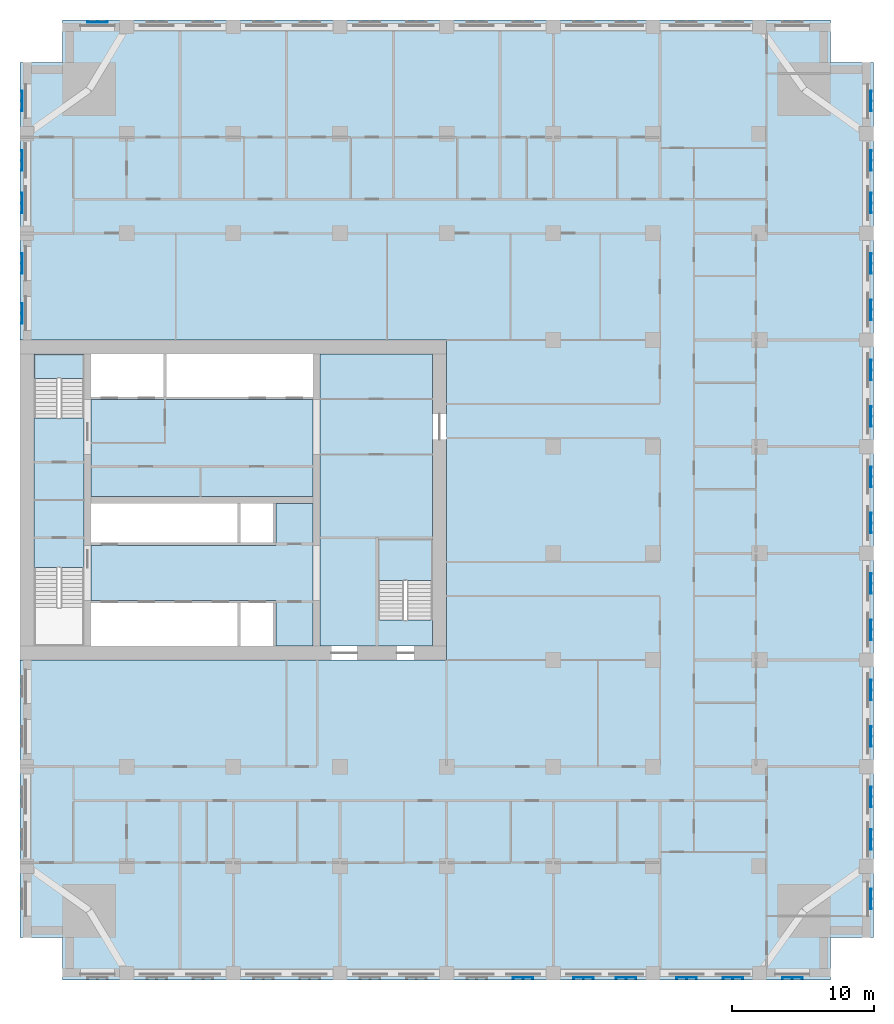
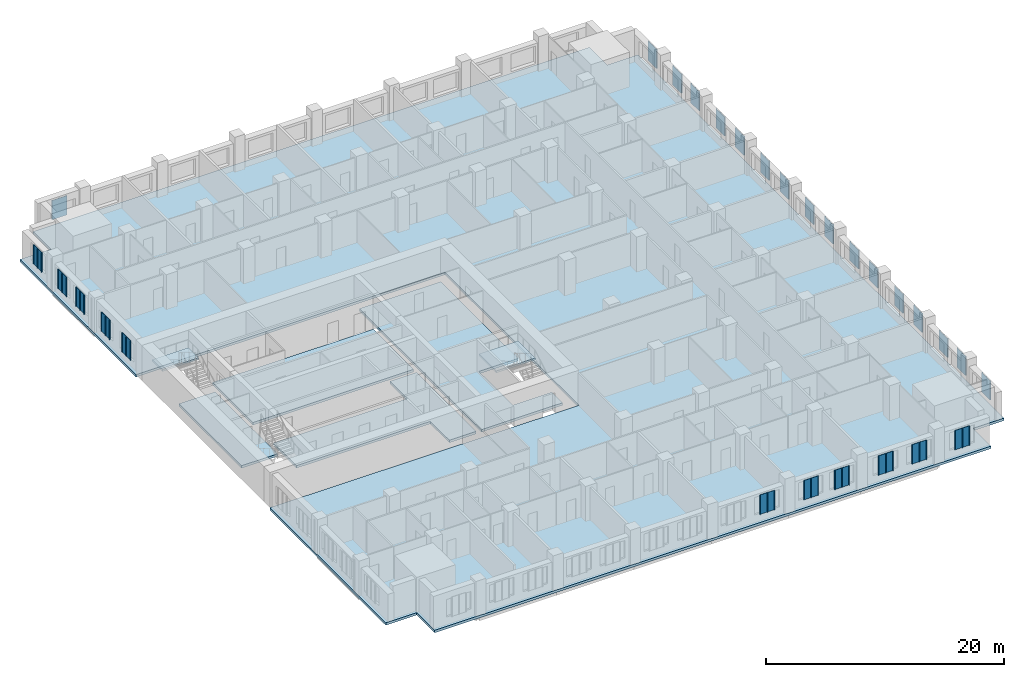
# One storey, part 2 of 14: 28 plates, 7 slabs, 2 elements without a shape of their own.
"""IFC4 building model written with IfcOpenShell, lengths in metres."""

from ifc_helpers import new_model, si_unit, direction, frame, origin, place, context, subcontext, project, spatial, polyline, outline, extrude, material, layer, layer_set, type_object, element, aggregate, save


model = new_model("IFC4")

# Units and contexts
model_context = context("Model", 3, precision=1e-05, world=origin(), true_north=direction((0.0, 1.0)))
body_context = subcontext(model_context, "Body", "Model", "MODEL_VIEW")
ifc_project = project(units=[si_unit("LENGTHUNIT", "METRE"), si_unit("AREAUNIT", "SQUARE_METRE"), si_unit("VOLUMEUNIT", "CUBIC_METRE"), si_unit("PLANEANGLEUNIT", "RADIAN"), si_unit("MASSUNIT", "GRAM", prefix="KILO")], contexts=[model_context])

# Site, building, storey
site_placement = place(None, origin())
site = spatial("IfcSite", under=ifc_project, at=site_placement, CompositionType="ELEMENT")
building_placement = place(site_placement, origin())
building = spatial("IfcBuilding", under=site, at=building_placement, Name="Tamorin Gate", CompositionType="ELEMENT")
storey_placement = place(building_placement, frame((0.0, 0.0, 100.699951171875)))
storey = spatial("IfcBuildingStorey", under=building, at=storey_placement, Name="L24", CompositionType="ELEMENT", Elevation=100.699951171875)

# Slabs
ifc_material_1 = material(Name="Concrete C40/50", Category="concrete")
ifc_layer_1 = layer(ifc_material_1, 0.25)
ifc_layer_set_1 = layer_set([ifc_layer_1], Name="Core floor slab 250 C40/50")
slab_type_1 = type_object("IfcSlabType", Name="Core floor slab 250 C40/50", PredefinedType="FLOOR", material=ifc_layer_set_1)
slab_1_placement = place(storey_placement, frame((0.0, 0.0, -0.25)))
element("IfcSlab", 1, at=slab_1_placement, inside=storey, type_object=slab_type_1, Name="Core floor L24", PredefinedType="FLOOR", context=body_context, shape_type="SweptSolid", body=[
    extrude(outline(polyline([(59.0, 62.800048828125), (59.0, 61.0), (51.10009765625, 61.0), (51.10009765625, 81.5), (59.0, 81.5), (59.0, 68.5), (55.199951171875, 68.5), (55.199951171875, 62.800048828125), (59.0, 62.800048828125)])), origin(), (0.0, 0.0, 1.0), 0.25),
])
slab_2_placement = place(storey_placement, frame((0.0, 0.0, -0.25)))
element("IfcSlab", 2, at=slab_2_placement, inside=storey, type_object=slab_type_1, Name="Core floor L24", PredefinedType="FLOOR", context=body_context, shape_type="SweptSolid", body=[
    extrude(outline(polyline([(50.60009765625, 61.0), (48.0, 61.0), (48.0, 64.199951171875), (35.0, 64.199951171875), (35.0, 68.050048828125), (48.0, 68.050048828125), (48.0, 71.0), (50.60009765625, 71.0), (50.60009765625, 61.0)])), origin(), (0.0, 0.0, 1.0), 0.25),
])
slab_3_placement = place(storey_placement, frame((0.0, 0.0, -0.25)))
element("IfcSlab", 3, at=slab_3_placement, inside=storey, type_object=slab_type_1, Name="Core floor L24", PredefinedType="FLOOR", context=body_context, shape_type="SweptSolid", body=[
    extrude(outline(polyline([(50.60009765625, 71.5), (35.0, 71.5), (35.0, 78.300048828125), (50.60009765625, 78.300048828125), (50.60009765625, 71.5)])), origin(), (0.0, 0.0, 1.0), 0.25),
])
slab_4_placement = place(storey_placement, frame((0.0, 0.0, -0.25)))
element("IfcSlab", 4, at=slab_4_placement, inside=storey, type_object=slab_type_1, Name="Core floor L24", PredefinedType="FLOOR", context=body_context, shape_type="SweptSolid", body=[
    extrude(outline(polyline([(31.0, 66.5), (31.0, 77.0), (34.5, 77.0), (34.5, 66.5), (31.0, 66.5)])), origin(), (0.0, 0.0, 1.0), 0.25),
])

# Stair, slab
stair_type = type_object("IfcStairType", Name="Exit stair", PredefinedType="HALF_TURN_STAIR", material=ifc_material_1)
stair_1_placement = place(storey_placement, origin())
stair_1 = element("IfcStair", 5, at=stair_1_placement, inside=storey, type_object=stair_type, Name="L24 stair ST2", PredefinedType="HALF_TURN_STAIR")
ifc_layer_2 = layer(ifc_material_1, 0.199951171875)
ifc_layer_set_2 = layer_set([ifc_layer_2], Name="Exit stair landing 200")
slab_type_2 = type_object("IfcSlabType", Name="Exit stair landing 200", PredefinedType="LANDING", material=ifc_layer_set_2)
slab_5_placement = place(storey_placement, frame((0.0, 0.0, 1.60009765625)))
slab_5 = element("IfcSlab", 6, at=slab_5_placement, type_object=slab_type_2, Name="ST2 landing 1", PredefinedType="LANDING", context=body_context, shape_type="SweptSolid", body=[
    extrude(outline(polyline([(34.5, 79.800048828125), (34.5, 81.5), (31.0, 81.5), (31.0, 79.800048828125), (34.5, 79.800048828125)])), origin(), (0.0, 0.0, 1.0), 0.199951171875),
])
aggregate(stair_1, [slab_5])

stair_2_placement = place(storey_placement, origin())
stair_2 = element("IfcStair", 7, at=stair_2_placement, inside=storey, type_object=stair_type, Name="L24 stair ST3", PredefinedType="HALF_TURN_STAIR")
slab_6_placement = place(storey_placement, frame((0.0, 0.0, 1.60009765625)))
slab_6 = element("IfcSlab", 8, at=slab_6_placement, type_object=slab_type_2, Name="ST3 landing 1", PredefinedType="LANDING", context=body_context, shape_type="SweptSolid", body=[
    extrude(outline(polyline([(59.0, 65.60009765625), (59.0, 68.5), (55.199951171875, 68.5), (55.199951171875, 65.60009765625), (59.0, 65.60009765625)])), origin(), (0.0, 0.0, 1.0), 0.199951171875),
])
aggregate(stair_2, [slab_6])

# Slab
ifc_layer_3 = layer(ifc_material_1, 0.25)
ifc_layer_set_3 = layer_set([ifc_layer_3], Name="Floor slab 250 C40/50")
slab_type_3 = type_object("IfcSlabType", Name="Floor slab 250 C40/50", PredefinedType="FLOOR", material=ifc_layer_set_3)
slab_7_placement = place(storey_placement, frame((0.0, 0.0, -0.25)))
element("IfcSlab", 9, at=slab_7_placement, inside=storey, type_object=slab_type_3, Name="Floor L24", PredefinedType="FLOOR", context=body_context, shape_type="SweptSolid", body=[
    extrude(outline(polyline([(30.0, 102.0), (33.0, 102.0), (33.0, 105.0), (87.0, 105.0), (87.0, 102.0), (90.0, 102.0), (90.0, 40.5), (87.0, 40.5), (87.0, 37.5), (33.0, 37.5), (33.0, 40.5), (30.0, 40.5), (30.0, 60.0), (60.0, 60.0), (60.0, 82.5), (30.0, 82.5), (30.0, 102.0)])), origin(), (0.0, 0.0, 1.0), 0.25),
])

# Plates
ifc_material_2 = material(Name="Perforated pale aluminium sheet", Category="aluminium")
ifc_layer_4 = layer(ifc_material_2, 0.0400390625)
ifc_layer_set_4 = layer_set([ifc_layer_4], Name="Pale metal solar screen 1440")
plate_type = type_object("IfcPlateType", Name="Pale metal solar screen 1440", PredefinedType="SHEET", material=ifc_layer_set_4)
plate_1_placement = place(storey_placement, frame((0.0, 0.0, 0.7099609375)))
element("IfcPlate", 10, at=plate_1_placement, inside=storey, type_object=plate_type, Name="Perforated solar screen", PredefinedType="SHEET", context=body_context, shape_type="SweptSolid", body=[
    extrude(outline(polyline([(64.655029296875, 37.659912109375), (64.655029296875, 37.699951171875), (64.715087890625, 37.699951171875), (65.344970703125, 37.699951171875), (65.405029296875, 37.699951171875), (66.034912109375, 37.699951171875), (66.094970703125, 37.699951171875), (66.094970703125, 37.659912109375), (66.094970703125, 37.60009765625), (66.034912109375, 37.60009765625), (66.034912109375, 37.659912109375), (65.405029296875, 37.659912109375), (65.405029296875, 37.60009765625), (65.344970703125, 37.60009765625), (65.344970703125, 37.659912109375), (64.715087890625, 37.659912109375), (64.715087890625, 37.60009765625), (64.655029296875, 37.60009765625), (64.655029296875, 37.659912109375)])), origin(), (0.0, 0.0, 1.0), 1.97998046875),
])
plate_2_placement = place(storey_placement, frame((0.0, 0.0, 0.7099609375)))
element("IfcPlate", 11, at=plate_2_placement, inside=storey, type_object=plate_type, Name="Perforated solar screen", PredefinedType="SHEET", context=body_context, shape_type="SweptSolid", body=[
    extrude(outline(polyline([(68.905029296875, 37.659912109375), (68.905029296875, 37.699951171875), (68.965087890625, 37.699951171875), (69.594970703125, 37.699951171875), (69.655029296875, 37.699951171875), (70.284912109375, 37.699951171875), (70.344970703125, 37.699951171875), (70.344970703125, 37.659912109375), (70.344970703125, 37.60009765625), (70.284912109375, 37.60009765625), (70.284912109375, 37.659912109375), (69.655029296875, 37.659912109375), (69.655029296875, 37.60009765625), (69.594970703125, 37.60009765625), (69.594970703125, 37.659912109375), (68.965087890625, 37.659912109375), (68.965087890625, 37.60009765625), (68.905029296875, 37.60009765625), (68.905029296875, 37.659912109375)])), origin(), (0.0, 0.0, 1.0), 1.97998046875),
])
plate_3_placement = place(storey_placement, frame((0.0, 0.0, 0.7099609375)))
element("IfcPlate", 12, at=plate_3_placement, inside=storey, type_object=plate_type, Name="Perforated solar screen", PredefinedType="SHEET", context=body_context, shape_type="SweptSolid", body=[
    extrude(outline(polyline([(71.905029296875, 37.659912109375), (71.905029296875, 37.699951171875), (71.965087890625, 37.699951171875), (72.594970703125, 37.699951171875), (72.655029296875, 37.699951171875), (73.284912109375, 37.699951171875), (73.344970703125, 37.699951171875), (73.344970703125, 37.659912109375), (73.344970703125, 37.60009765625), (73.284912109375, 37.60009765625), (73.284912109375, 37.659912109375), (72.655029296875, 37.659912109375), (72.655029296875, 37.60009765625), (72.594970703125, 37.60009765625), (72.594970703125, 37.659912109375), (71.965087890625, 37.659912109375), (71.965087890625, 37.60009765625), (71.905029296875, 37.60009765625), (71.905029296875, 37.659912109375)])), origin(), (0.0, 0.0, 1.0), 1.97998046875),
])
plate_4_placement = place(storey_placement, frame((0.0, 0.0, 0.7099609375)))
element("IfcPlate", 13, at=plate_4_placement, inside=storey, type_object=plate_type, Name="Perforated solar screen", PredefinedType="SHEET", context=body_context, shape_type="SweptSolid", body=[
    extrude(outline(polyline([(76.155029296875, 37.659912109375), (76.155029296875, 37.699951171875), (76.215087890625, 37.699951171875), (76.844970703125, 37.699951171875), (76.905029296875, 37.699951171875), (77.534912109375, 37.699951171875), (77.594970703125, 37.699951171875), (77.594970703125, 37.659912109375), (77.594970703125, 37.60009765625), (77.534912109375, 37.60009765625), (77.534912109375, 37.659912109375), (76.905029296875, 37.659912109375), (76.905029296875, 37.60009765625), (76.844970703125, 37.60009765625), (76.844970703125, 37.659912109375), (76.215087890625, 37.659912109375), (76.215087890625, 37.60009765625), (76.155029296875, 37.60009765625), (76.155029296875, 37.659912109375)])), origin(), (0.0, 0.0, 1.0), 1.97998046875),
])
plate_5_placement = place(storey_placement, frame((0.0, 0.0, 0.7099609375)))
element("IfcPlate", 14, at=plate_5_placement, inside=storey, type_object=plate_type, Name="Perforated solar screen", PredefinedType="SHEET", context=body_context, shape_type="SweptSolid", body=[
    extrude(outline(polyline([(79.405029296875, 37.659912109375), (79.405029296875, 37.699951171875), (79.465087890625, 37.699951171875), (80.094970703125, 37.699951171875), (80.155029296875, 37.699951171875), (80.784912109375, 37.699951171875), (80.844970703125, 37.699951171875), (80.844970703125, 37.659912109375), (80.844970703125, 37.60009765625), (80.784912109375, 37.60009765625), (80.784912109375, 37.659912109375), (80.155029296875, 37.659912109375), (80.155029296875, 37.60009765625), (80.094970703125, 37.60009765625), (80.094970703125, 37.659912109375), (79.465087890625, 37.659912109375), (79.465087890625, 37.60009765625), (79.405029296875, 37.60009765625), (79.405029296875, 37.659912109375)])), origin(), (0.0, 0.0, 1.0), 1.97998046875),
])
plate_6_placement = place(storey_placement, frame((0.0, 0.0, 0.7099609375)))
element("IfcPlate", 15, at=plate_6_placement, inside=storey, type_object=plate_type, Name="Perforated solar screen", PredefinedType="SHEET", context=body_context, shape_type="SweptSolid", body=[
    extrude(outline(polyline([(83.580078125, 37.659912109375), (83.580078125, 37.699951171875), (83.639892578125, 37.699951171875), (84.27001953125, 37.699951171875), (84.330078125, 37.699951171875), (84.9599609375, 37.699951171875), (85.02001953125, 37.699951171875), (85.02001953125, 37.659912109375), (85.02001953125, 37.60009765625), (84.9599609375, 37.60009765625), (84.9599609375, 37.659912109375), (84.330078125, 37.659912109375), (84.330078125, 37.60009765625), (84.27001953125, 37.60009765625), (84.27001953125, 37.659912109375), (83.639892578125, 37.659912109375), (83.639892578125, 37.60009765625), (83.580078125, 37.60009765625), (83.580078125, 37.659912109375)])), origin(), (0.0, 0.0, 1.0), 1.97998046875),
])
plate_7_placement = place(storey_placement, frame((0.0, 0.0, 0.7099609375)))
element("IfcPlate", 16, at=plate_7_placement, inside=storey, type_object=plate_type, Name="Perforated solar screen", PredefinedType="SHEET", context=body_context, shape_type="SweptSolid", body=[
    extrude(outline(polyline([(89.840087890625, 42.47998046875), (89.800048828125, 42.47998046875), (89.800048828125, 42.5400390625), (89.800048828125, 43.169921875), (89.800048828125, 43.22998046875), (89.800048828125, 43.860107421875), (89.800048828125, 43.919921875), (89.840087890625, 43.919921875), (89.89990234375, 43.919921875), (89.89990234375, 43.860107421875), (89.840087890625, 43.860107421875), (89.840087890625, 43.22998046875), (89.89990234375, 43.22998046875), (89.89990234375, 43.169921875), (89.840087890625, 43.169921875), (89.840087890625, 42.5400390625), (89.89990234375, 42.5400390625), (89.89990234375, 42.47998046875), (89.840087890625, 42.47998046875)])), origin(), (0.0, 0.0, 1.0), 1.97998046875),
])
plate_8_placement = place(storey_placement, frame((0.0, 0.0, 0.7099609375)))
element("IfcPlate", 17, at=plate_8_placement, inside=storey, type_object=plate_type, Name="Perforated solar screen", PredefinedType="SHEET", context=body_context, shape_type="SweptSolid", body=[
    extrude(outline(polyline([(89.840087890625, 46.655029296875), (89.800048828125, 46.655029296875), (89.800048828125, 46.715087890625), (89.800048828125, 47.344970703125), (89.800048828125, 47.405029296875), (89.800048828125, 48.034912109375), (89.800048828125, 48.094970703125), (89.800048828125, 48.094970703125), (89.840087890625, 48.094970703125), (89.840087890625, 48.094970703125), (89.89990234375, 48.094970703125), (89.89990234375, 48.034912109375), (89.840087890625, 48.034912109375), (89.840087890625, 47.405029296875), (89.89990234375, 47.405029296875), (89.89990234375, 47.344970703125), (89.840087890625, 47.344970703125), (89.840087890625, 46.715087890625), (89.89990234375, 46.715087890625), (89.89990234375, 46.655029296875), (89.840087890625, 46.655029296875)])), origin(), (0.0, 0.0, 1.0), 1.97998046875),
])
plate_9_placement = place(storey_placement, frame((0.0, 0.0, 0.7099609375)))
element("IfcPlate", 18, at=plate_9_placement, inside=storey, type_object=plate_type, Name="Perforated solar screen", PredefinedType="SHEET", context=body_context, shape_type="SweptSolid", body=[
    extrude(outline(polyline([(89.840087890625, 49.655029296875), (89.800048828125, 49.655029296875), (89.800048828125, 49.715087890625), (89.800048828125, 50.344970703125), (89.800048828125, 50.405029296875), (89.800048828125, 51.034912109375), (89.800048828125, 51.094970703125), (89.840087890625, 51.094970703125), (89.89990234375, 51.094970703125), (89.89990234375, 51.034912109375), (89.840087890625, 51.034912109375), (89.840087890625, 50.405029296875), (89.89990234375, 50.405029296875), (89.89990234375, 50.344970703125), (89.840087890625, 50.344970703125), (89.840087890625, 49.715087890625), (89.89990234375, 49.715087890625), (89.89990234375, 49.655029296875), (89.840087890625, 49.655029296875)])), origin(), (0.0, 0.0, 1.0), 1.97998046875),
])
plate_10_placement = place(storey_placement, frame((0.0, 0.0, 0.7099609375)))
element("IfcPlate", 19, at=plate_10_placement, inside=storey, type_object=plate_type, Name="Perforated solar screen", PredefinedType="SHEET", context=body_context, shape_type="SweptSolid", body=[
    extrude(outline(polyline([(89.840087890625, 53.905029296875), (89.800048828125, 53.905029296875), (89.800048828125, 53.965087890625), (89.800048828125, 54.594970703125), (89.800048828125, 54.655029296875), (89.800048828125, 55.284912109375), (89.800048828125, 55.344970703125), (89.840087890625, 55.344970703125), (89.89990234375, 55.344970703125), (89.89990234375, 55.284912109375), (89.840087890625, 55.284912109375), (89.840087890625, 54.655029296875), (89.89990234375, 54.655029296875), (89.89990234375, 54.594970703125), (89.840087890625, 54.594970703125), (89.840087890625, 53.965087890625), (89.89990234375, 53.965087890625), (89.89990234375, 53.905029296875), (89.840087890625, 53.905029296875)])), origin(), (0.0, 0.0, 1.0), 1.97998046875),
])
plate_11_placement = place(storey_placement, frame((0.0, 0.0, 0.7099609375)))
element("IfcPlate", 20, at=plate_11_placement, inside=storey, type_object=plate_type, Name="Perforated solar screen", PredefinedType="SHEET", context=body_context, shape_type="SweptSolid", body=[
    extrude(outline(polyline([(89.840087890625, 57.155029296875), (89.800048828125, 57.155029296875), (89.800048828125, 57.215087890625), (89.800048828125, 57.844970703125), (89.800048828125, 57.905029296875), (89.800048828125, 58.534912109375), (89.800048828125, 58.594970703125), (89.840087890625, 58.594970703125), (89.89990234375, 58.594970703125), (89.89990234375, 58.534912109375), (89.840087890625, 58.534912109375), (89.840087890625, 57.905029296875), (89.89990234375, 57.905029296875), (89.89990234375, 57.844970703125), (89.840087890625, 57.844970703125), (89.840087890625, 57.215087890625), (89.89990234375, 57.215087890625), (89.89990234375, 57.155029296875), (89.840087890625, 57.155029296875)])), origin(), (0.0, 0.0, 1.0), 1.97998046875),
])
plate_12_placement = place(storey_placement, frame((0.0, 0.0, 0.7099609375)))
element("IfcPlate", 21, at=plate_12_placement, inside=storey, type_object=plate_type, Name="Perforated solar screen", PredefinedType="SHEET", context=body_context, shape_type="SweptSolid", body=[
    extrude(outline(polyline([(89.840087890625, 61.405029296875), (89.800048828125, 61.405029296875), (89.800048828125, 61.465087890625), (89.800048828125, 62.094970703125), (89.800048828125, 62.155029296875), (89.800048828125, 62.784912109375), (89.800048828125, 62.844970703125), (89.840087890625, 62.844970703125), (89.89990234375, 62.844970703125), (89.89990234375, 62.784912109375), (89.840087890625, 62.784912109375), (89.840087890625, 62.155029296875), (89.89990234375, 62.155029296875), (89.89990234375, 62.094970703125), (89.840087890625, 62.094970703125), (89.840087890625, 61.465087890625), (89.89990234375, 61.465087890625), (89.89990234375, 61.405029296875), (89.840087890625, 61.405029296875)])), origin(), (0.0, 0.0, 1.0), 1.97998046875),
])
plate_13_placement = place(storey_placement, frame((0.0, 0.0, 0.7099609375)))
element("IfcPlate", 22, at=plate_13_placement, inside=storey, type_object=plate_type, Name="Perforated solar screen", PredefinedType="SHEET", context=body_context, shape_type="SweptSolid", body=[
    extrude(outline(polyline([(89.840087890625, 64.655029296875), (89.800048828125, 64.655029296875), (89.800048828125, 64.715087890625), (89.800048828125, 65.344970703125), (89.800048828125, 65.405029296875), (89.800048828125, 66.034912109375), (89.800048828125, 66.094970703125), (89.840087890625, 66.094970703125), (89.89990234375, 66.094970703125), (89.89990234375, 66.034912109375), (89.840087890625, 66.034912109375), (89.840087890625, 65.405029296875), (89.89990234375, 65.405029296875), (89.89990234375, 65.344970703125), (89.840087890625, 65.344970703125), (89.840087890625, 64.715087890625), (89.89990234375, 64.715087890625), (89.89990234375, 64.655029296875), (89.840087890625, 64.655029296875)])), origin(), (0.0, 0.0, 1.0), 1.97998046875),
])
plate_14_placement = place(storey_placement, frame((0.0, 0.0, 0.7099609375)))
element("IfcPlate", 23, at=plate_14_placement, inside=storey, type_object=plate_type, Name="Perforated solar screen", PredefinedType="SHEET", context=body_context, shape_type="SweptSolid", body=[
    extrude(outline(polyline([(89.840087890625, 68.905029296875), (89.800048828125, 68.905029296875), (89.800048828125, 68.965087890625), (89.800048828125, 69.594970703125), (89.800048828125, 69.655029296875), (89.800048828125, 70.284912109375), (89.800048828125, 70.344970703125), (89.840087890625, 70.344970703125), (89.89990234375, 70.344970703125), (89.89990234375, 70.284912109375), (89.840087890625, 70.284912109375), (89.840087890625, 69.655029296875), (89.89990234375, 69.655029296875), (89.89990234375, 69.594970703125), (89.840087890625, 69.594970703125), (89.840087890625, 68.965087890625), (89.89990234375, 68.965087890625), (89.89990234375, 68.905029296875), (89.840087890625, 68.905029296875)])), origin(), (0.0, 0.0, 1.0), 1.97998046875),
])
plate_15_placement = place(storey_placement, frame((0.0, 0.0, 0.7099609375)))
element("IfcPlate", 24, at=plate_15_placement, inside=storey, type_object=plate_type, Name="Perforated solar screen", PredefinedType="SHEET", context=body_context, shape_type="SweptSolid", body=[
    extrude(outline(polyline([(89.840087890625, 72.155029296875), (89.800048828125, 72.155029296875), (89.800048828125, 72.215087890625), (89.800048828125, 72.844970703125), (89.800048828125, 72.905029296875), (89.800048828125, 73.534912109375), (89.800048828125, 73.594970703125), (89.840087890625, 73.594970703125), (89.89990234375, 73.594970703125), (89.89990234375, 73.534912109375), (89.840087890625, 73.534912109375), (89.840087890625, 72.905029296875), (89.89990234375, 72.905029296875), (89.89990234375, 72.844970703125), (89.840087890625, 72.844970703125), (89.840087890625, 72.215087890625), (89.89990234375, 72.215087890625), (89.89990234375, 72.155029296875), (89.840087890625, 72.155029296875)])), origin(), (0.0, 0.0, 1.0), 1.97998046875),
])
plate_16_placement = place(storey_placement, frame((0.0, 0.0, 0.7099609375)))
element("IfcPlate", 25, at=plate_16_placement, inside=storey, type_object=plate_type, Name="Perforated solar screen", PredefinedType="SHEET", context=body_context, shape_type="SweptSolid", body=[
    extrude(outline(polyline([(89.840087890625, 76.405029296875), (89.800048828125, 76.405029296875), (89.800048828125, 76.465087890625), (89.800048828125, 77.094970703125), (89.800048828125, 77.155029296875), (89.800048828125, 77.784912109375), (89.800048828125, 77.844970703125), (89.840087890625, 77.844970703125), (89.89990234375, 77.844970703125), (89.89990234375, 77.784912109375), (89.840087890625, 77.784912109375), (89.840087890625, 77.155029296875), (89.89990234375, 77.155029296875), (89.89990234375, 77.094970703125), (89.840087890625, 77.094970703125), (89.840087890625, 76.465087890625), (89.89990234375, 76.465087890625), (89.89990234375, 76.405029296875), (89.840087890625, 76.405029296875)])), origin(), (0.0, 0.0, 1.0), 1.97998046875),
])
plate_17_placement = place(storey_placement, frame((0.0, 0.0, 0.7099609375)))
element("IfcPlate", 26, at=plate_17_placement, inside=storey, type_object=plate_type, Name="Perforated solar screen", PredefinedType="SHEET", context=body_context, shape_type="SweptSolid", body=[
    extrude(outline(polyline([(89.840087890625, 79.655029296875), (89.800048828125, 79.655029296875), (89.800048828125, 79.715087890625), (89.800048828125, 80.344970703125), (89.800048828125, 80.405029296875), (89.800048828125, 81.034912109375), (89.800048828125, 81.094970703125), (89.840087890625, 81.094970703125), (89.89990234375, 81.094970703125), (89.89990234375, 81.034912109375), (89.840087890625, 81.034912109375), (89.840087890625, 80.405029296875), (89.89990234375, 80.405029296875), (89.89990234375, 80.344970703125), (89.840087890625, 80.344970703125), (89.840087890625, 79.715087890625), (89.89990234375, 79.715087890625), (89.89990234375, 79.655029296875), (89.840087890625, 79.655029296875)])), origin(), (0.0, 0.0, 1.0), 1.97998046875),
])
plate_18_placement = place(storey_placement, frame((0.0, 0.0, 0.7099609375)))
element("IfcPlate", 27, at=plate_18_placement, inside=storey, type_object=plate_type, Name="Perforated solar screen", PredefinedType="SHEET", context=body_context, shape_type="SweptSolid", body=[
    extrude(outline(polyline([(89.840087890625, 83.905029296875), (89.800048828125, 83.905029296875), (89.800048828125, 83.965087890625), (89.800048828125, 84.594970703125), (89.800048828125, 84.655029296875), (89.800048828125, 85.284912109375), (89.800048828125, 85.344970703125), (89.840087890625, 85.344970703125), (89.89990234375, 85.344970703125), (89.89990234375, 85.284912109375), (89.840087890625, 85.284912109375), (89.840087890625, 84.655029296875), (89.89990234375, 84.655029296875), (89.89990234375, 84.594970703125), (89.840087890625, 84.594970703125), (89.840087890625, 83.965087890625), (89.89990234375, 83.965087890625), (89.89990234375, 83.905029296875), (89.840087890625, 83.905029296875)])), origin(), (0.0, 0.0, 1.0), 1.97998046875),
])
plate_19_placement = place(storey_placement, frame((0.0, 0.0, 0.7099609375)))
element("IfcPlate", 28, at=plate_19_placement, inside=storey, type_object=plate_type, Name="Perforated solar screen", PredefinedType="SHEET", context=body_context, shape_type="SweptSolid", body=[
    extrude(outline(polyline([(89.840087890625, 87.155029296875), (89.800048828125, 87.155029296875), (89.800048828125, 87.215087890625), (89.800048828125, 87.844970703125), (89.800048828125, 87.905029296875), (89.800048828125, 88.534912109375), (89.800048828125, 88.594970703125), (89.840087890625, 88.594970703125), (89.89990234375, 88.594970703125), (89.89990234375, 88.534912109375), (89.840087890625, 88.534912109375), (89.840087890625, 87.905029296875), (89.89990234375, 87.905029296875), (89.89990234375, 87.844970703125), (89.840087890625, 87.844970703125), (89.840087890625, 87.215087890625), (89.89990234375, 87.215087890625), (89.89990234375, 87.155029296875), (89.840087890625, 87.155029296875)])), origin(), (0.0, 0.0, 1.0), 1.97998046875),
])
plate_20_placement = place(storey_placement, frame((0.0, 0.0, 0.7099609375)))
element("IfcPlate", 29, at=plate_20_placement, inside=storey, type_object=plate_type, Name="Perforated solar screen", PredefinedType="SHEET", context=body_context, shape_type="SweptSolid", body=[
    extrude(outline(polyline([(89.840087890625, 91.405029296875), (89.800048828125, 91.405029296875), (89.800048828125, 91.465087890625), (89.800048828125, 92.094970703125), (89.800048828125, 92.155029296875), (89.800048828125, 92.784912109375), (89.800048828125, 92.844970703125), (89.840087890625, 92.844970703125), (89.89990234375, 92.844970703125), (89.89990234375, 92.784912109375), (89.840087890625, 92.784912109375), (89.840087890625, 92.155029296875), (89.89990234375, 92.155029296875), (89.89990234375, 92.094970703125), (89.840087890625, 92.094970703125), (89.840087890625, 91.465087890625), (89.89990234375, 91.465087890625), (89.89990234375, 91.405029296875), (89.840087890625, 91.405029296875)])), origin(), (0.0, 0.0, 1.0), 1.97998046875),
])
plate_21_placement = place(storey_placement, frame((0.0, 0.0, 0.7099609375)))
element("IfcPlate", 30, at=plate_21_placement, inside=storey, type_object=plate_type, Name="Perforated solar screen", PredefinedType="SHEET", context=body_context, shape_type="SweptSolid", body=[
    extrude(outline(polyline([(89.840087890625, 94.405029296875), (89.800048828125, 94.405029296875), (89.800048828125, 94.465087890625), (89.800048828125, 95.094970703125), (89.800048828125, 95.155029296875), (89.800048828125, 95.784912109375), (89.800048828125, 95.844970703125), (89.840087890625, 95.844970703125), (89.89990234375, 95.844970703125), (89.89990234375, 95.784912109375), (89.840087890625, 95.784912109375), (89.840087890625, 95.155029296875), (89.89990234375, 95.155029296875), (89.89990234375, 95.094970703125), (89.840087890625, 95.094970703125), (89.840087890625, 94.465087890625), (89.89990234375, 94.465087890625), (89.89990234375, 94.405029296875), (89.840087890625, 94.405029296875)])), origin(), (0.0, 0.0, 1.0), 1.97998046875),
])
plate_22_placement = place(storey_placement, frame((0.0, 0.0, 0.7099609375)))
element("IfcPlate", 31, at=plate_22_placement, inside=storey, type_object=plate_type, Name="Perforated solar screen", PredefinedType="SHEET", context=body_context, shape_type="SweptSolid", body=[
    extrude(outline(polyline([(89.840087890625, 98.580078125), (89.800048828125, 98.580078125), (89.800048828125, 98.639892578125), (89.800048828125, 99.27001953125), (89.800048828125, 99.330078125), (89.800048828125, 99.9599609375), (89.800048828125, 100.02001953125), (89.840087890625, 100.02001953125), (89.89990234375, 100.02001953125), (89.89990234375, 99.9599609375), (89.840087890625, 99.9599609375), (89.840087890625, 99.330078125), (89.89990234375, 99.330078125), (89.89990234375, 99.27001953125), (89.840087890625, 99.27001953125), (89.840087890625, 98.639892578125), (89.89990234375, 98.639892578125), (89.89990234375, 98.580078125), (89.840087890625, 98.580078125)])), origin(), (0.0, 0.0, 1.0), 1.97998046875),
])
plate_23_placement = place(storey_placement, frame((0.0, 0.0, 0.7099609375)))
element("IfcPlate", 32, at=plate_23_placement, inside=storey, type_object=plate_type, Name="Perforated solar screen", PredefinedType="SHEET", context=body_context, shape_type="SweptSolid", body=[
    extrude(outline(polyline([(36.169921875, 104.840087890625), (36.169921875, 104.800048828125), (36.110107421875, 104.800048828125), (35.47998046875, 104.800048828125), (35.419921875, 104.800048828125), (34.7900390625, 104.800048828125), (34.72998046875, 104.800048828125), (34.72998046875, 104.840087890625), (34.72998046875, 104.89990234375), (34.7900390625, 104.89990234375), (34.7900390625, 104.840087890625), (35.419921875, 104.840087890625), (35.419921875, 104.89990234375), (35.47998046875, 104.89990234375), (35.47998046875, 104.840087890625), (36.110107421875, 104.840087890625), (36.110107421875, 104.89990234375), (36.169921875, 104.89990234375), (36.169921875, 104.840087890625)])), origin(), (0.0, 0.0, 1.0), 1.97998046875),
])
plate_24_placement = place(storey_placement, frame((0.0, 0.0, 0.7099609375)))
element("IfcPlate", 33, at=plate_24_placement, inside=storey, type_object=plate_type, Name="Perforated solar screen", PredefinedType="SHEET", context=body_context, shape_type="SweptSolid", body=[
    extrude(outline(polyline([(30.159912109375, 100.02001953125), (30.199951171875, 100.02001953125), (30.199951171875, 99.9599609375), (30.199951171875, 99.330078125), (30.199951171875, 99.27001953125), (30.199951171875, 98.639892578125), (30.199951171875, 98.580078125), (30.159912109375, 98.580078125), (30.10009765625, 98.580078125), (30.10009765625, 98.639892578125), (30.159912109375, 98.639892578125), (30.159912109375, 99.27001953125), (30.10009765625, 99.27001953125), (30.10009765625, 99.330078125), (30.159912109375, 99.330078125), (30.159912109375, 99.9599609375), (30.10009765625, 99.9599609375), (30.10009765625, 100.02001953125), (30.159912109375, 100.02001953125)])), origin(), (0.0, 0.0, 1.0), 1.97998046875),
])
plate_25_placement = place(storey_placement, frame((0.0, 0.0, 0.7099609375)))
element("IfcPlate", 34, at=plate_25_placement, inside=storey, type_object=plate_type, Name="Perforated solar screen", PredefinedType="SHEET", context=body_context, shape_type="SweptSolid", body=[
    extrude(outline(polyline([(30.159912109375, 92.844970703125), (30.199951171875, 92.844970703125), (30.199951171875, 92.784912109375), (30.199951171875, 92.155029296875), (30.199951171875, 92.094970703125), (30.199951171875, 91.465087890625), (30.199951171875, 91.405029296875), (30.159912109375, 91.405029296875), (30.10009765625, 91.405029296875), (30.10009765625, 91.465087890625), (30.159912109375, 91.465087890625), (30.159912109375, 92.094970703125), (30.10009765625, 92.094970703125), (30.10009765625, 92.155029296875), (30.159912109375, 92.155029296875), (30.159912109375, 92.784912109375), (30.10009765625, 92.784912109375), (30.10009765625, 92.844970703125), (30.159912109375, 92.844970703125)])), origin(), (0.0, 0.0, 1.0), 1.97998046875),
])
plate_26_placement = place(storey_placement, frame((0.0, 0.0, 0.7099609375)))
element("IfcPlate", 35, at=plate_26_placement, inside=storey, type_object=plate_type, Name="Perforated solar screen", PredefinedType="SHEET", context=body_context, shape_type="SweptSolid", body=[
    extrude(outline(polyline([(30.159912109375, 95.844970703125), (30.199951171875, 95.844970703125), (30.199951171875, 95.784912109375), (30.199951171875, 95.155029296875), (30.199951171875, 95.094970703125), (30.199951171875, 94.465087890625), (30.199951171875, 94.405029296875), (30.199951171875, 94.405029296875), (30.159912109375, 94.405029296875), (30.159912109375, 94.405029296875), (30.10009765625, 94.405029296875), (30.10009765625, 94.465087890625), (30.159912109375, 94.465087890625), (30.159912109375, 95.094970703125), (30.10009765625, 95.094970703125), (30.10009765625, 95.155029296875), (30.159912109375, 95.155029296875), (30.159912109375, 95.784912109375), (30.10009765625, 95.784912109375), (30.10009765625, 95.844970703125), (30.159912109375, 95.844970703125)])), origin(), (0.0, 0.0, 1.0), 1.97998046875),
])
plate_27_placement = place(storey_placement, frame((0.0, 0.0, 0.7099609375)))
element("IfcPlate", 36, at=plate_27_placement, inside=storey, type_object=plate_type, Name="Perforated solar screen", PredefinedType="SHEET", context=body_context, shape_type="SweptSolid", body=[
    extrude(outline(polyline([(30.159912109375, 85.094970703125), (30.199951171875, 85.094970703125), (30.199951171875, 85.034912109375), (30.199951171875, 84.405029296875), (30.199951171875, 84.344970703125), (30.199951171875, 83.715087890625), (30.199951171875, 83.655029296875), (30.159912109375, 83.655029296875), (30.10009765625, 83.655029296875), (30.10009765625, 83.715087890625), (30.159912109375, 83.715087890625), (30.159912109375, 84.344970703125), (30.10009765625, 84.344970703125), (30.10009765625, 84.405029296875), (30.159912109375, 84.405029296875), (30.159912109375, 85.034912109375), (30.10009765625, 85.034912109375), (30.10009765625, 85.094970703125), (30.159912109375, 85.094970703125)])), origin(), (0.0, 0.0, 1.0), 1.97998046875),
])
plate_28_placement = place(storey_placement, frame((0.0, 0.0, 0.7099609375)))
element("IfcPlate", 37, at=plate_28_placement, inside=storey, type_object=plate_type, Name="Perforated solar screen", PredefinedType="SHEET", context=body_context, shape_type="SweptSolid", body=[
    extrude(outline(polyline([(30.159912109375, 88.594970703125), (30.199951171875, 88.594970703125), (30.199951171875, 88.534912109375), (30.199951171875, 87.905029296875), (30.199951171875, 87.844970703125), (30.199951171875, 87.215087890625), (30.199951171875, 87.155029296875), (30.159912109375, 87.155029296875), (30.10009765625, 87.155029296875), (30.10009765625, 87.215087890625), (30.159912109375, 87.215087890625), (30.159912109375, 87.844970703125), (30.10009765625, 87.844970703125), (30.10009765625, 87.905029296875), (30.159912109375, 87.905029296875), (30.159912109375, 88.534912109375), (30.10009765625, 88.534912109375), (30.10009765625, 88.594970703125), (30.159912109375, 88.594970703125)])), origin(), (0.0, 0.0, 1.0), 1.97998046875),
])

save(model, "model.ifc")
